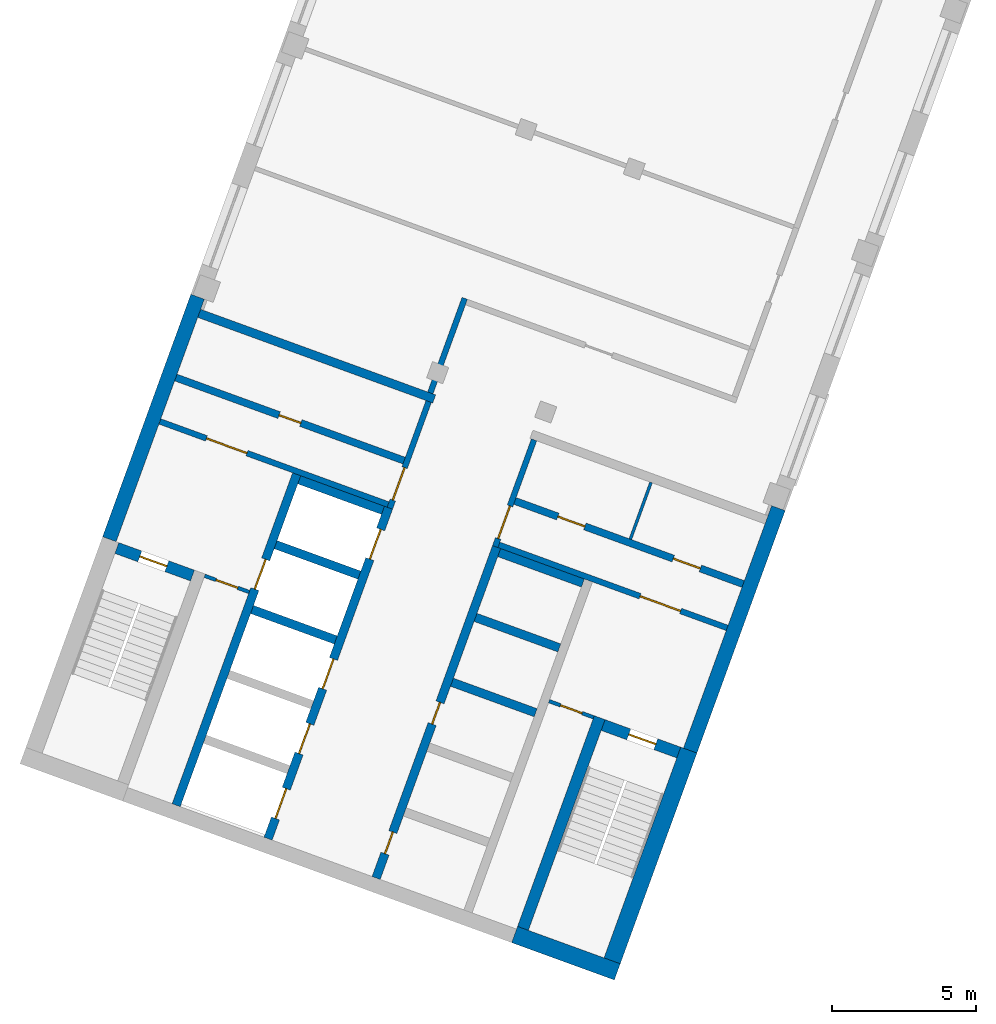
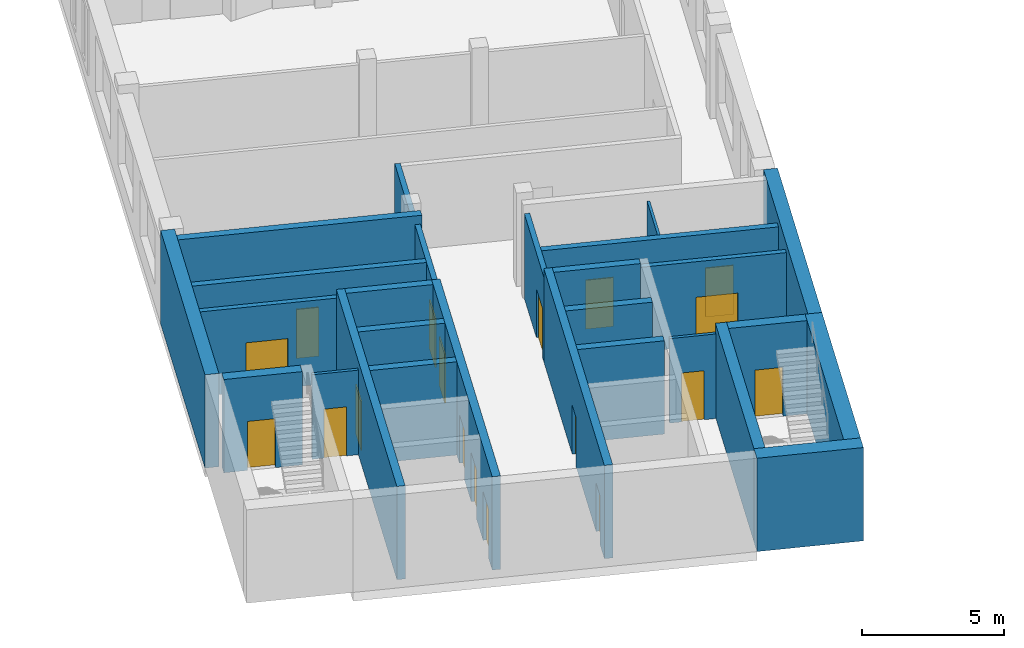
# One storey, part 2 of 11: 27 walls, 18 doors, 18 openings.
"""IFC4 building model written with IfcOpenShell, lengths in metres."""

from ifc_helpers import new_model, si_unit, direction, frame, frame_2d, origin, place, context, subcontext, project, spatial, rectangle, extrude, material, layer, layer_set, type_object, element, fill, save


model = new_model("IFC4")

# Units and contexts
model_context = context("Model", 3, precision=1e-05, world=origin(), true_north=direction((0.0, 1.0)))
body_context = subcontext(model_context, "Body", "Model", "MODEL_VIEW")
ifc_project = project(units=[si_unit("LENGTHUNIT", "METRE"), si_unit("AREAUNIT", "SQUARE_METRE"), si_unit("VOLUMEUNIT", "CUBIC_METRE"), si_unit("PLANEANGLEUNIT", "RADIAN"), si_unit("MASSUNIT", "GRAM", prefix="KILO")], contexts=[model_context])

# Site, building, storey
site_placement = place(None, origin())
site = spatial("IfcSite", under=ifc_project, at=site_placement, CompositionType="ELEMENT")
building_placement = place(site_placement, origin())
building = spatial("IfcBuilding", under=site, at=building_placement, Name="Skarvind Civic Tower", CompositionType="ELEMENT")
storey_placement = place(building_placement, frame((0.0, 0.0, 212.0)))
storey = spatial("IfcBuildingStorey", under=building, at=storey_placement, Name="L50", CompositionType="ELEMENT", Elevation=212.0)

# Wall, opening, door
ifc_material_1 = material(Name="Fire-rated masonry partition", Category="masonry")
ifc_layer_1 = layer(ifc_material_1, 0.199951171875)
ifc_layer_set_1 = layer_set([ifc_layer_1], Name="Core enclosure wall 200")
wall_type_1 = type_object("IfcWallType", Name="Core enclosure wall 200", PredefinedType="PARTITIONING", material=ifc_layer_set_1)
wall_1_placement = place(storey_placement, frame((31.42724609375, 93.663330078125, 0.0), z_axis=(0.0, 0.0, 1.0), x_axis=(0.342030870568, 0.93968871632, 0.0)))
wall_1 = element("IfcWall", 1, at=wall_1_placement, inside=storey, type_object=wall_type_1, Name="Core wall C2", PredefinedType="PARTITIONING", context=body_context, shape_type="SweptSolid", body=[
    extrude(rectangle(XDim=3.9501953125, YDim=0.199951171875, at=frame_2d((1.97509765625, 0.0))), origin(), (0.0, 0.0, 1.0), 3.625),
])
opening_1_placement = place(wall_1_placement, frame((0.300048828125, 0.0, 0.0)))
opening_1 = element("IfcOpeningElement", 2, at=opening_1_placement, cuts=wall_1, Name="Opening D-L50-C2-07", PredefinedType="OPENING", context=body_context, shape_type="SweptSolid", body=[
    extrude(rectangle(XDim=1.199951171875, YDim=2.10009765625, at=frame_2d((0.60009765625, 1.050048828125))), frame((0.0, 0.10986328125, 0.0), z_axis=(0.0, -1.0, 0.0), x_axis=(1.0, 0.0, 0.0)), (0.0, 0.0, 1.0), 0.219970703125),
])
ifc_material_2 = material(Name="Fire-rated steel door", Category="steel")
door_type_1 = type_object("IfcDoorType", Name="Core lobby door 1200", OperationType="NOTDEFINED", PredefinedType="DOOR", material=ifc_material_2)
door_1_placement = place(opening_1_placement, origin())
door_1 = element("IfcDoor", 3, at=door_1_placement, inside=storey, type_object=door_type_1, Name="Fire door", OperationType="DOUBLE_DOOR_SINGLE_SWING", OverallHeight=2.10009765625, OverallWidth=1.199951171875, PredefinedType="DOOR", context=body_context, shape_type="SweptSolid", body=[
    extrude(rectangle(XDim=1.199951171875, YDim=2.10009765625, at=frame_2d((0.60009765625, 1.050048828125))), frame((0.0, 0.02490234375, 0.0), z_axis=(0.0, -1.0, 0.0), x_axis=(1.0, 0.0, 0.0)), (0.0, 0.0, 1.0), 0.050048828125),
])
fill(opening_1, door_1)

wall_2_placement = place(storey_placement, frame((23.42724609375, 96.681640625, 0.0), z_axis=(0.0, 0.0, 1.0), x_axis=(0.939690465531, -0.342026064782, 0.0)))
wall_2 = element("IfcWall", 4, at=wall_2_placement, inside=storey, type_object=wall_type_1, Name="Core wall C2", PredefinedType="PARTITIONING", context=body_context, shape_type="SweptSolid", body=[
    extrude(rectangle(XDim=8.449951171875, YDim=0.199951171875, at=frame_2d((4.22509765625, 0.0))), origin(), (0.0, 0.0, 1.0), 3.625),
])
opening_2_placement = place(wall_2_placement, frame((1.72509765625, 0.0, 0.0)))
opening_2 = element("IfcOpeningElement", 5, at=opening_2_placement, cuts=wall_2, Name="Opening D-L50-C2-08", PredefinedType="OPENING", context=body_context, shape_type="SweptSolid", body=[
    extrude(rectangle(XDim=1.5, YDim=2.10009765625, at=frame_2d((0.75, 1.050048828125))), frame((0.0, 0.10986328125, 0.0), z_axis=(0.0, -1.0, 0.0), x_axis=(1.0, 0.0, 0.0)), (0.0, 0.0, 1.0), 0.219970703125),
])
door_type_2 = type_object("IfcDoorType", Name="Fire door 1500", OperationType="NOTDEFINED", PredefinedType="DOOR", material=ifc_material_2)
door_2_placement = place(opening_2_placement, origin())
door_2 = element("IfcDoor", 6, at=door_2_placement, inside=storey, type_object=door_type_2, Name="Fire door", OperationType="DOUBLE_DOOR_SINGLE_SWING", OverallHeight=2.10009765625, OverallWidth=1.5, PredefinedType="DOOR", context=body_context, shape_type="SweptSolid", body=[
    extrude(rectangle(XDim=1.5, YDim=2.10009765625, at=frame_2d((0.75, 1.050048828125))), frame((0.0, 0.02490234375, 0.0), z_axis=(0.0, -1.0, 0.0), x_axis=(1.0, 0.0, 0.0)), (0.0, 0.0, 1.0), 0.050048828125),
])
fill(opening_2, door_2)

wall_3_placement = place(storey_placement, frame((36.443115234375, 96.041259765625, 0.0), z_axis=(0.0, 0.0, 1.0), x_axis=(-0.341996156931, -0.939701350773, 0.0)))
wall_3 = element("IfcWall", 7, at=wall_3_placement, inside=storey, type_object=wall_type_1, Name="Core wall C2", PredefinedType="PARTITIONING", context=body_context, shape_type="SweptSolid", body=[
    extrude(rectangle(XDim=3.949951171875, YDim=0.199951171875, at=frame_2d((1.97509765625, 0.0))), origin(), (0.0, 0.0, 1.0), 3.625),
])
opening_3_placement = place(wall_3_placement, frame((2.449951171875, 0.0, 0.0)))
opening_3 = element("IfcOpeningElement", 8, at=opening_3_placement, cuts=wall_3, Name="Opening D-L50-C2-12", PredefinedType="OPENING", context=body_context, shape_type="SweptSolid", body=[
    extrude(rectangle(XDim=1.199951171875, YDim=2.10009765625, at=frame_2d((0.60009765625, 1.050048828125))), frame((0.0, 0.10986328125, 0.0), z_axis=(0.0, -1.0, 0.0), x_axis=(1.0, 0.0, 0.0)), (0.0, 0.0, 1.0), 0.219970703125),
])
door_3_placement = place(opening_3_placement, origin())
door_3 = element("IfcDoor", 9, at=door_3_placement, inside=storey, type_object=door_type_1, Name="Fire door", OperationType="DOUBLE_DOOR_SINGLE_SWING", OverallHeight=2.10009765625, OverallWidth=1.199951171875, PredefinedType="DOOR", context=body_context, shape_type="SweptSolid", body=[
    extrude(rectangle(XDim=1.199951171875, YDim=2.10009765625, at=frame_2d((0.60009765625, 1.050048828125))), frame((0.0, 0.02490234375, 0.0), z_axis=(0.0, -1.0, 0.0), x_axis=(1.0, 0.0, 0.0)), (0.0, 0.0, 1.0), 0.050048828125),
])
fill(opening_3, door_3)

wall_4_placement = place(storey_placement, frame((35.22021484375, 92.389404296875, 0.0), z_axis=(0.0, 0.0, 1.0), x_axis=(0.939690465531, -0.342026064782, 0.0)))
wall_4 = element("IfcWall", 10, at=wall_4_placement, inside=storey, type_object=wall_type_1, Name="Core wall C2", PredefinedType="PARTITIONING", context=body_context, shape_type="SweptSolid", body=[
    extrude(rectangle(XDim=8.449951171875, YDim=0.199951171875, at=frame_2d((4.22509765625, 0.0))), origin(), (0.0, 0.0, 1.0), 3.625),
])
opening_4_placement = place(wall_4_placement, frame((5.22509765625, 0.0, 0.0)))
opening_4 = element("IfcOpeningElement", 11, at=opening_4_placement, cuts=wall_4, Name="Opening D-L50-C2-13", PredefinedType="OPENING", context=body_context, shape_type="SweptSolid", body=[
    extrude(rectangle(XDim=1.5, YDim=2.10009765625, at=frame_2d((0.75, 1.050048828125))), frame((0.0, 0.10986328125, 0.0), z_axis=(0.0, -1.0, 0.0), x_axis=(1.0, 0.0, 0.0)), (0.0, 0.0, 1.0), 0.219970703125),
])
door_4_placement = place(opening_4_placement, origin())
door_4 = element("IfcDoor", 12, at=door_4_placement, inside=storey, type_object=door_type_2, Name="Fire door", OperationType="DOUBLE_DOOR_SINGLE_SWING", OverallHeight=2.10009765625, OverallWidth=1.5, PredefinedType="DOOR", context=body_context, shape_type="SweptSolid", body=[
    extrude(rectangle(XDim=1.5, YDim=2.10009765625, at=frame_2d((0.75, 1.050048828125))), frame((0.0, 0.02490234375, 0.0), z_axis=(0.0, -1.0, 0.0), x_axis=(1.0, 0.0, 0.0)), (0.0, 0.0, 1.0), 0.050048828125),
])
fill(opening_4, door_4)

# Wall
ifc_material_3 = material(Name="Fire-rated plasterboard partition")
ifc_layer_2 = layer(ifc_material_3, 0.10009765625)
ifc_layer_set_2 = layer_set([ifc_layer_2], Name="Core partition wall 100")
wall_type_2 = type_object("IfcWallType", Name="Core partition wall 100", PredefinedType="PARTITIONING", material=ifc_layer_set_2)
wall_5_placement = place(storey_placement, frame((40.511962890625, 94.560302734375, 0.0), z_axis=(0.0, 0.0, 1.0), x_axis=(-0.342023078919, -0.939691552312, 0.0)))
element("IfcWall", 13, at=wall_5_placement, inside=storey, type_object=wall_type_2, Name="Core wall C2", PredefinedType="PARTITIONING", context=body_context, shape_type="SweptSolid", body=[
    extrude(rectangle(XDim=2.10009765625, YDim=0.10009765625, at=frame_2d((1.050048828125, 0.0))), origin(), (0.0, 0.0, 1.0), 3.625),
])

# Wall, openings, doors
ifc_material_4 = material(Name="Concrete C60", Category="concrete")
ifc_layer_3 = layer(ifc_material_4, 0.300048828125)
ifc_layer_set_3 = layer_set([ifc_layer_3], Name="Core wall 300 C60")
wall_type_3 = type_object("IfcWallType", Name="Core wall 300 C60", PredefinedType="SHEAR", material=ifc_layer_set_3)
wall_6_placement = place(storey_placement, frame((30.949462890625, 80.80126953125, 0.0), z_axis=(0.0, 0.0, 1.0), x_axis=(0.342016684409, 0.939693879721, 0.0)))
wall_6 = element("IfcWall", 14, at=wall_6_placement, inside=storey, type_object=wall_type_3, Name="Core wall C2 south lift row front L50", PredefinedType="SHEAR", context=body_context, shape_type="SweptSolid", body=[
    extrude(rectangle(XDim=12.25, YDim=0.300048828125, at=frame_2d((6.125, 0.0))), origin(), (0.0, 0.0, 1.0), 4.0),
])
opening_5_placement = place(wall_6_placement, frame((0.89990234375, 0.0, 0.0)))
opening_5 = element("IfcOpeningElement", 15, at=opening_5_placement, cuts=wall_6, Name="Opening D-L50-C2-05", PredefinedType="OPENING", context=body_context, shape_type="SweptSolid", body=[
    extrude(rectangle(XDim=0.800048828125, YDim=2.10009765625, at=frame_2d((0.39990234375, 1.050048828125))), frame((0.0, 0.159912109375, 0.0), z_axis=(0.0, -1.0, 0.0), x_axis=(1.0, 0.0, 0.0)), (0.0, 0.0, 1.0), 0.320068359375),
])
opening_6_placement = place(wall_6_placement, frame((5.699951171875, 0.0, 0.0)))
opening_6 = element("IfcOpeningElement", 16, at=opening_6_placement, cuts=wall_6, Name="Opening D-L50-C2-06", PredefinedType="OPENING", context=body_context, shape_type="SweptSolid", body=[
    extrude(rectangle(XDim=0.800048828125, YDim=2.10009765625, at=frame_2d((0.39990234375, 1.050048828125))), frame((0.0, 0.159912109375, 0.0), z_axis=(0.0, -1.0, 0.0), x_axis=(1.0, 0.0, 0.0)), (0.0, 0.0, 1.0), 0.320068359375),
])
door_type_3 = type_object("IfcDoorType", Name="Core riser door 800", OperationType="NOTDEFINED", PredefinedType="DOOR", material=ifc_material_2)
door_5_placement = place(opening_5_placement, origin())
door_5 = element("IfcDoor", 17, at=door_5_placement, inside=storey, type_object=door_type_3, Name="Riser door", OperationType="SINGLE_SWING_LEFT", OverallHeight=2.10009765625, OverallWidth=0.800048828125, PredefinedType="DOOR", context=body_context, shape_type="SweptSolid", body=[
    extrude(rectangle(XDim=0.800048828125, YDim=2.10009765625, at=frame_2d((0.39990234375, 1.050048828125))), frame((0.0, 0.02490234375, 0.0), z_axis=(0.0, -1.0, 0.0), x_axis=(1.0, 0.0, 0.0)), (0.0, 0.0, 1.0), 0.050048828125),
])
fill(opening_5, door_5)
door_6_placement = place(opening_6_placement, origin())
door_6 = element("IfcDoor", 18, at=door_6_placement, inside=storey, type_object=door_type_3, Name="Riser door", OperationType="SINGLE_SWING_RIGHT", OverallHeight=2.10009765625, OverallWidth=0.800048828125, PredefinedType="DOOR", context=body_context, shape_type="SweptSolid", body=[
    extrude(rectangle(XDim=0.800048828125, YDim=2.10009765625, at=frame_2d((0.39990234375, 1.050048828125))), frame((0.0, 0.02490234375, 0.0), z_axis=(0.0, -1.0, 0.0), x_axis=(1.0, 0.0, 0.0)), (0.0, 0.0, 1.0), 0.050048828125),
])
fill(opening_6, door_6)

# Walls
for number, where, z_axis, x_axis, name in (
    (19, (36.500244140625, 86.54931640625, 0.0), (0.0, 0.0, 1.0), (-0.939689908313, 0.342027595692, 0.0), "Core wall C2 south lift row division 3 L50"),
    (20, (37.321044921875, 88.8046875, 0.0), (0.0, 0.0, 1.0), (-0.939689908313, 0.342027595692, 0.0), "Core wall C2 south lift row division 4 L50"),
    (21, (38.141845703125, 91.059814453125, 0.0), (0.0, 0.0, 1.0), (-0.939689908313, 0.342027595692, 0.0), "Core wall C2 south lift row division 5 L50"),
):
    element("IfcWall", number, at=place(storey_placement, frame(where, z_axis=z_axis, x_axis=x_axis)), inside=storey, type_object=wall_type_3, Name=name, PredefinedType="SHEAR", context=body_context, shape_type="SweptSolid", body=[
        extrude(rectangle(XDim=3.10009765625, YDim=0.300048828125, at=frame_2d((1.550048828125, 0.0))), origin(), (0.0, 0.0, 1.0), 4.0),
    ])

# Wall, openings, doors
wall_7_placement = place(storey_placement, frame((27.190673828125, 82.169189453125, 0.0), z_axis=(0.0, 0.0, 1.0), x_axis=(0.342016684409, 0.939693879721, 0.0)))
wall_7 = element("IfcWall", 22, at=wall_7_placement, inside=storey, type_object=wall_type_3, Name="Core wall C2 north lift row front L50", PredefinedType="SHEAR", context=body_context, shape_type="SweptSolid", body=[
    extrude(rectangle(XDim=12.25, YDim=0.300048828125, at=frame_2d((6.125, 0.0))), origin(), (0.0, 0.0, 1.0), 4.0),
])
opening_7_placement = place(wall_7_placement, frame((0.75, 0.0, 0.0)))
opening_7 = element("IfcOpeningElement", 23, at=opening_7_placement, cuts=wall_7, Name="Opening LD52201", PredefinedType="OPENING", context=body_context, shape_type="SweptSolid", body=[
    extrude(rectangle(XDim=1.10009765625, YDim=2.10009765625, at=frame_2d((0.550048828125, 1.050048828125))), frame((0.0, 0.159912109375, 0.0), z_axis=(0.0, -1.0, 0.0), x_axis=(1.0, 0.0, 0.0)), (0.0, 0.0, 1.0), 0.320068359375),
])
opening_8_placement = place(wall_7_placement, frame((3.14990234375, 0.0, 0.0)))
opening_8 = element("IfcOpeningElement", 24, at=opening_8_placement, cuts=wall_7, Name="Opening LD52202", PredefinedType="OPENING", context=body_context, shape_type="SweptSolid", body=[
    extrude(rectangle(XDim=1.10009765625, YDim=2.10009765625, at=frame_2d((0.550048828125, 1.050048828125))), frame((0.0, 0.159912109375, 0.0), z_axis=(0.0, -1.0, 0.0), x_axis=(1.0, 0.0, 0.0)), (0.0, 0.0, 1.0), 0.320068359375),
])
opening_9_placement = place(wall_7_placement, frame((5.550048828125, 0.0, 0.0)))
opening_9 = element("IfcOpeningElement", 25, at=opening_9_placement, cuts=wall_7, Name="Opening LD52203", PredefinedType="OPENING", context=body_context, shape_type="SweptSolid", body=[
    extrude(rectangle(XDim=1.10009765625, YDim=2.10009765625, at=frame_2d((0.550048828125, 1.050048828125))), frame((0.0, 0.159912109375, 0.0), z_axis=(0.0, -1.0, 0.0), x_axis=(1.0, 0.0, 0.0)), (0.0, 0.0, 1.0), 0.320068359375),
])
opening_10_placement = place(wall_7_placement, frame((10.35009765625, 0.0, 0.0)))
opening_10 = element("IfcOpeningElement", 26, at=opening_10_placement, cuts=wall_7, Name="Opening LD52205", PredefinedType="OPENING", context=body_context, shape_type="SweptSolid", body=[
    extrude(rectangle(XDim=1.10009765625, YDim=2.10009765625, at=frame_2d((0.550048828125, 1.050048828125))), frame((0.0, 0.159912109375, 0.0), z_axis=(0.0, -1.0, 0.0), x_axis=(1.0, 0.0, 0.0)), (0.0, 0.0, 1.0), 0.320068359375),
])
ifc_material_5 = material(Name="Stainless steel landing door", Category="steel")
door_type_4 = type_object("IfcDoorType", Name="Lift landing door 1100", OperationType="DOUBLE_DOOR_SLIDING", PredefinedType="DOOR", material=ifc_material_5)
door_7_placement = place(opening_7_placement, origin())
door_7 = element("IfcDoor", 27, at=door_7_placement, inside=storey, type_object=door_type_4, Name="Lift landing door", OperationType="DOUBLE_DOOR_SLIDING", OverallHeight=2.10009765625, OverallWidth=1.10009765625, PredefinedType="DOOR", context=body_context, shape_type="SweptSolid", body=[
    extrude(rectangle(XDim=1.10009765625, YDim=2.10009765625, at=frame_2d((0.550048828125, 1.050048828125))), frame((0.0, 0.02490234375, 0.0), z_axis=(0.0, -1.0, 0.0), x_axis=(1.0, 0.0, 0.0)), (0.0, 0.0, 1.0), 0.050048828125),
])
fill(opening_7, door_7)
door_8_placement = place(opening_8_placement, origin())
door_8 = element("IfcDoor", 28, at=door_8_placement, inside=storey, type_object=door_type_4, Name="Lift landing door", OperationType="DOUBLE_DOOR_SLIDING", OverallHeight=2.10009765625, OverallWidth=1.10009765625, PredefinedType="DOOR", context=body_context, shape_type="SweptSolid", body=[
    extrude(rectangle(XDim=1.10009765625, YDim=2.10009765625, at=frame_2d((0.550048828125, 1.050048828125))), frame((0.0, 0.02490234375, 0.0), z_axis=(0.0, -1.0, 0.0), x_axis=(1.0, 0.0, 0.0)), (0.0, 0.0, 1.0), 0.050048828125),
])
fill(opening_8, door_8)
door_9_placement = place(opening_9_placement, origin())
door_9 = element("IfcDoor", 29, at=door_9_placement, inside=storey, type_object=door_type_4, Name="Lift landing door", OperationType="DOUBLE_DOOR_SLIDING", OverallHeight=2.10009765625, OverallWidth=1.10009765625, PredefinedType="DOOR", context=body_context, shape_type="SweptSolid", body=[
    extrude(rectangle(XDim=1.10009765625, YDim=2.10009765625, at=frame_2d((0.550048828125, 1.050048828125))), frame((0.0, 0.02490234375, 0.0), z_axis=(0.0, -1.0, 0.0), x_axis=(1.0, 0.0, 0.0)), (0.0, 0.0, 1.0), 0.050048828125),
])
fill(opening_9, door_9)
door_10_placement = place(opening_10_placement, origin())
door_10 = element("IfcDoor", 30, at=door_10_placement, inside=storey, type_object=door_type_4, Name="Lift landing door", OperationType="DOUBLE_DOOR_SLIDING", OverallHeight=2.10009765625, OverallWidth=1.10009765625, PredefinedType="DOOR", context=body_context, shape_type="SweptSolid", body=[
    extrude(rectangle(XDim=1.10009765625, YDim=2.10009765625, at=frame_2d((0.550048828125, 1.050048828125))), frame((0.0, 0.02490234375, 0.0), z_axis=(0.0, -1.0, 0.0), x_axis=(1.0, 0.0, 0.0)), (0.0, 0.0, 1.0), 0.050048828125),
])
fill(opening_10, door_10)

# Wall, opening, door
wall_8_placement = place(storey_placement, frame((23.99560546875, 83.33203125, 0.0), z_axis=(0.0, 0.0, 1.0), x_axis=(0.342016684409, 0.939693879721, 0.0)))
wall_8 = element("IfcWall", 31, at=wall_8_placement, inside=storey, type_object=wall_type_3, Name="Core wall C2 north lift row back L50", PredefinedType="SHEAR", context=body_context, shape_type="SweptSolid", body=[
    extrude(rectangle(XDim=12.25, YDim=0.300048828125, at=frame_2d((6.125, 0.0))), origin(), (0.0, 0.0, 1.0), 4.0),
])
opening_11_placement = place(wall_8_placement, frame((8.0, 0.0, 0.0)))
opening_11 = element("IfcOpeningElement", 32, at=opening_11_placement, cuts=wall_8, Name="Opening LD52204", PredefinedType="OPENING", context=body_context, shape_type="SweptSolid", body=[
    extrude(rectangle(XDim=1.10009765625, YDim=2.10009765625, at=frame_2d((0.550048828125, 1.050048828125))), frame((0.0, 0.159912109375, 0.0), z_axis=(0.0, -1.0, 0.0), x_axis=(1.0, 0.0, 0.0)), (0.0, 0.0, 1.0), 0.320068359375),
])
door_11_placement = place(opening_11_placement, origin())
door_11 = element("IfcDoor", 33, at=door_11_placement, inside=storey, type_object=door_type_4, Name="Lift landing door", OperationType="DOUBLE_DOOR_SLIDING", OverallHeight=2.10009765625, OverallWidth=1.10009765625, PredefinedType="DOOR", context=body_context, shape_type="SweptSolid", body=[
    extrude(rectangle(XDim=1.10009765625, YDim=2.10009765625, at=frame_2d((0.550048828125, 1.050048828125))), frame((0.0, 0.02490234375, 0.0), z_axis=(0.0, -1.0, 0.0), x_axis=(1.0, 0.0, 0.0)), (0.0, 0.0, 1.0), 0.050048828125),
])
fill(opening_11, door_11)

# Walls
wall_9_placement = place(storey_placement, frame((29.54638671875, 89.080322265625, 0.0), z_axis=(0.0, 0.0, 1.0), x_axis=(-0.939689908313, 0.342027595692, 0.0)))
element("IfcWall", 34, at=wall_9_placement, inside=storey, type_object=wall_type_3, Name="Core wall C2 north lift row division 3 L50", PredefinedType="SHEAR", context=body_context, shape_type="SweptSolid", body=[
    extrude(rectangle(XDim=3.10009765625, YDim=0.300048828125, at=frame_2d((1.550048828125, 0.0))), origin(), (0.0, 0.0, 1.0), 4.0),
])
for number, where, z_axis, x_axis, name in (
    (35, (30.3671875, 91.335693359375, 0.0), (0.0, 0.0, 1.0), (-0.939715217871, 0.341958051961, 0.0), "Core wall C2 north lift row division 4 L50"),
    (36, (31.18798828125, 93.5908203125, 0.0), (0.0, 0.0, 1.0), (-0.939680694448, 0.342052908892, 0.0), "Core wall C2 north lift row division 5 L50"),
):
    element("IfcWall", number, at=place(storey_placement, frame(where, z_axis=z_axis, x_axis=x_axis)), inside=storey, type_object=wall_type_3, Name=name, PredefinedType="SHEAR", context=body_context, shape_type="SweptSolid", body=[
        extrude(rectangle(XDim=3.099853515625, YDim=0.300048828125, at=frame_2d((1.5498046875, 0.0))), origin(), (0.0, 0.0, 1.0), 4.0),
    ])
wall_10_placement = place(storey_placement, frame((32.970703125, 97.46484375, 0.0), z_axis=(0.0, 0.0, 1.0), x_axis=(-0.939695066972, 0.34201342241, 0.0)))
element("IfcWall", 37, at=wall_10_placement, inside=storey, type_object=wall_type_3, Name="Core wall C2 north inner face L50", PredefinedType="SHEAR", context=body_context, shape_type="SweptSolid", body=[
    extrude(rectangle(XDim=8.7001953125, YDim=0.300048828125, at=frame_2d((4.35009765625, 0.0))), origin(), (0.0, 0.0, 1.0), 4.0),
])
ifc_layer_4 = layer(ifc_material_4, 0.39990234375)
ifc_layer_set_4 = layer_set([ifc_layer_4], Name="Core wall 400 C60")
wall_type_4 = type_object("IfcWallType", Name="Core wall 400 C60", PredefinedType="SHEAR", material=ifc_layer_set_4)
wall_11_placement = place(storey_placement, frame((36.057861328125, 79.04833984375, 0.0), z_axis=(0.0, 0.0, 1.0), x_axis=(0.342016982193, 0.939693771338, 0.0)))
element("IfcWall", 38, at=wall_11_placement, inside=storey, type_object=wall_type_4, Name="Core wall C2 south stair inner L50", PredefinedType="SHEAR", context=body_context, shape_type="SweptSolid", body=[
    extrude(rectangle(XDim=7.800048828125, YDim=0.39990234375, at=frame_2d((3.89990234375, 0.0))), origin(), (0.0, 0.0, 1.0), 4.0),
])

# Wall, opening, door
wall_12_placement = place(storey_placement, frame((41.476318359375, 85.163818359375, 0.0), z_axis=(0.0, 0.0, 1.0), x_axis=(-0.939678810556, 0.342058084236, 0.0)))
wall_12 = element("IfcWall", 39, at=wall_12_placement, inside=storey, type_object=wall_type_4, Name="Core wall C2 south stair end L50", PredefinedType="SHEAR", context=body_context, shape_type="SweptSolid", body=[
    extrude(rectangle(XDim=2.800048828125, YDim=0.39990234375, at=frame_2d((1.39990234375, 0.0))), origin(), (0.0, 0.0, 1.0), 4.0),
])
opening_12_placement = place(wall_12_placement, frame((0.85009765625, 0.0, 0.0)))
opening_12 = element("IfcOpeningElement", 40, at=opening_12_placement, cuts=wall_12, Name="Opening D-L50-C2-14", PredefinedType="OPENING", context=body_context, shape_type="SweptSolid", body=[
    extrude(rectangle(XDim=1.0, YDim=2.10009765625, at=frame_2d((0.5, 1.050048828125))), frame((0.0, 0.2099609375, 0.0), z_axis=(0.0, -1.0, 0.0), x_axis=(1.0, 0.0, 0.0)), (0.0, 0.0, 1.0), 0.419921875),
])
door_type_5 = type_object("IfcDoorType", Name="Fire door 1000", OperationType="NOTDEFINED", PredefinedType="DOOR", material=ifc_material_2)
door_12_placement = place(opening_12_placement, origin())
door_12 = element("IfcDoor", 41, at=door_12_placement, inside=storey, type_object=door_type_5, Name="Fire door", OperationType="SINGLE_SWING_RIGHT", OverallHeight=2.10009765625, OverallWidth=1.0, PredefinedType="DOOR", context=body_context, shape_type="SweptSolid", body=[
    extrude(rectangle(XDim=1.0, YDim=2.10009765625, at=frame_2d((0.5, 1.050048828125))), frame((0.0, 0.02490234375, 0.0), z_axis=(0.0, -1.0, 0.0), x_axis=(1.0, 0.0, 0.0)), (0.0, 0.0, 1.0), 0.050048828125),
])
fill(opening_12, door_12)

wall_13_placement = place(storey_placement, frame((24.56201171875, 91.3203125, 0.0), z_axis=(0.0, 0.0, 1.0), x_axis=(-0.939717030584, 0.341953070509, 0.0)))
wall_13 = element("IfcWall", 42, at=wall_13_placement, inside=storey, type_object=wall_type_4, Name="Core wall C2 north stair end L50", PredefinedType="SHEAR", context=body_context, shape_type="SweptSolid", body=[
    extrude(rectangle(XDim=2.800048828125, YDim=0.39990234375, at=frame_2d((1.39990234375, 0.0))), origin(), (0.0, 0.0, 1.0), 4.0),
])
opening_13_placement = place(wall_13_placement, frame((0.949951171875, 0.0, 0.0)))
opening_13 = element("IfcOpeningElement", 43, at=opening_13_placement, cuts=wall_13, Name="Opening D-L50-C2-09", PredefinedType="OPENING", context=body_context, shape_type="SweptSolid", body=[
    extrude(rectangle(XDim=1.0, YDim=2.10009765625, at=frame_2d((0.5, 1.050048828125))), frame((0.0, 0.2099609375, 0.0), z_axis=(0.0, -1.0, 0.0), x_axis=(1.0, 0.0, 0.0)), (0.0, 0.0, 1.0), 0.419921875),
])
door_13_placement = place(opening_13_placement, origin())
door_13 = element("IfcDoor", 44, at=door_13_placement, inside=storey, type_object=door_type_5, Name="Fire door", OperationType="SINGLE_SWING_LEFT", OverallHeight=2.10009765625, OverallWidth=1.0, PredefinedType="DOOR", context=body_context, shape_type="SweptSolid", body=[
    extrude(rectangle(XDim=1.0, YDim=2.10009765625, at=frame_2d((0.5, 1.050048828125))), frame((0.0, 0.02490234375, 0.0), z_axis=(0.0, -1.0, 0.0), x_axis=(1.0, 0.0, 0.0)), (0.0, 0.0, 1.0), 0.050048828125),
])
fill(opening_13, door_13)

# Walls
ifc_layer_5 = layer(ifc_material_4, 0.5)
ifc_layer_set_5 = layer_set([ifc_layer_5], Name="Core wall 500 C60")
wall_type_5 = type_object("IfcWallType", Name="Core wall 500 C60", PredefinedType="SHEAR", material=ifc_layer_set_5)
wall_14_placement = place(storey_placement, frame((41.873779296875, 85.232177734375, 0.0), z_axis=(0.0, 0.0, 1.0), x_axis=(0.342020437038, 0.939692513883, 0.0)))
element("IfcWall", 45, at=wall_14_placement, inside=storey, type_object=wall_type_5, Name="Core wall C2 south side L50", PredefinedType="SHEAR", context=body_context, shape_type="SweptSolid", body=[
    extrude(rectangle(XDim=8.974853515625, YDim=0.5, at=frame_2d((4.4873046875, 0.0))), origin(), (0.0, 0.0, 1.0), 4.0),
])
wall_15_placement = place(storey_placement, frame((21.670166015625, 92.58544921875, 0.0), z_axis=(0.0, 0.0, 1.0), x_axis=(0.342035714298, 0.93968695327, 0.0)))
element("IfcWall", 46, at=wall_15_placement, inside=storey, type_object=wall_type_5, Name="Core wall C2 north side L50", PredefinedType="SHEAR", context=body_context, shape_type="SweptSolid", body=[
    extrude(rectangle(XDim=8.97509765625, YDim=0.5, at=frame_2d((4.487548828125, 0.0))), origin(), (0.0, 0.0, 1.0), 4.0),
])
ifc_layer_6 = layer(ifc_material_4, 0.60009765625)
ifc_layer_set_6 = layer_set([ifc_layer_6], Name="Core wall 600 C60")
wall_type_6 = type_object("IfcWallType", Name="Core wall 600 C60", PredefinedType="SHEAR", material=ifc_layer_set_6)
wall_16_placement = place(storey_placement, frame((39.338134765625, 77.53515625, 0.0), z_axis=(0.0, 0.0, 1.0), x_axis=(-0.939701471648, 0.341995824804, 0.0)))
element("IfcWall", 47, at=wall_16_placement, inside=storey, type_object=wall_type_6, Name="Core wall C2 tip at the south stair L50", PredefinedType="SHEAR", context=body_context, shape_type="SweptSolid", body=[
    extrude(rectangle(XDim=3.800048828125, YDim=0.60009765625, at=frame_2d((1.89990234375, 0.0))), origin(), (0.0, 0.0, 1.0), 4.0),
])
wall_17_placement = place(storey_placement, frame((39.158935546875, 77.919677734375, 0.0), z_axis=(0.0, 0.0, 1.0), x_axis=(0.342016982193, 0.939693771338, 0.0)))
element("IfcWall", 48, at=wall_17_placement, inside=storey, type_object=wall_type_6, Name="Core wall C2 south side at the stair L50", PredefinedType="SHEAR", context=body_context, shape_type="SweptSolid", body=[
    extrude(rectangle(XDim=7.800048828125, YDim=0.60009765625, at=frame_2d((3.89990234375, 0.0))), origin(), (0.0, 0.0, 1.0), 4.0),
])
ifc_material_6 = material(Name="Fire-rated blockwork wall, plastered", Category="masonry")
ifc_layer_7 = layer(ifc_material_6, 0.199951171875)
ifc_layer_set_7 = layer_set([ifc_layer_7], Name="FIRE WALL 200 EI 60")
wall_type_7 = type_object("IfcWallType", Name="FIRE WALL 200 EI 60", PredefinedType="PARTITIONING", material=ifc_layer_set_7)
wall_18_placement = place(storey_placement, frame((32.833984375, 97.674072265625, 0.0), z_axis=(0.0, 0.0, 1.0), x_axis=(0.342017493073, 0.939693585395, 0.0)))
element("IfcWall", 49, at=wall_18_placement, inside=storey, type_object=wall_type_7, Name="Portal partition L50 004", PredefinedType="PARTITIONING", context=body_context, shape_type="SweptSolid", body=[
    extrude(rectangle(XDim=3.5, YDim=0.199951171875, at=frame_2d((1.75, 0.0))), origin(), (0.0, 0.0, 1.0), 3.625),
])

# Wall, opening, door
ifc_layer_8 = layer(ifc_material_1, 0.125)
ifc_layer_set_8 = layer_set([ifc_layer_8], Name="Riser wall 125")
wall_type_8 = type_object("IfcWallType", Name="Riser wall 125", PredefinedType="PARTITIONING", material=ifc_layer_set_8)
wall_19_placement = place(storey_placement, frame((24.98486328125, 91.3125, 0.0), z_axis=(0.0, 0.0, 1.0), x_axis=(0.939719959755, -0.341945020783, 0.0)))
wall_19 = element("IfcWall", 50, at=wall_19_placement, inside=storey, type_object=wall_type_8, Name="Core wall C2", PredefinedType="PARTITIONING", context=body_context, shape_type="SweptSolid", body=[
    extrude(rectangle(XDim=1.64990234375, YDim=0.125, at=frame_2d((0.824951171875, 0.0))), origin(), (0.0, 0.0, 1.0), 3.625),
])
opening_14_placement = place(wall_19_placement, frame((0.425048828125, 0.0, 0.0)))
opening_14 = element("IfcOpeningElement", 51, at=opening_14_placement, cuts=wall_19, Name="Opening D-L50-C2-10", PredefinedType="OPENING", context=body_context, shape_type="SweptSolid", body=[
    extrude(rectangle(XDim=0.800048828125, YDim=2.10009765625, at=frame_2d((0.39990234375, 1.050048828125))), frame((0.0, 0.072509765625, 0.0), z_axis=(0.0, -1.0, 0.0), x_axis=(1.0, 0.0, 0.0)), (0.0, 0.0, 1.0), 0.14501953125),
])
door_14_placement = place(opening_14_placement, origin())
door_14 = element("IfcDoor", 52, at=door_14_placement, inside=storey, type_object=door_type_3, Name="Riser door", OperationType="SINGLE_SWING_RIGHT", OverallHeight=2.10009765625, OverallWidth=0.800048828125, PredefinedType="DOOR", context=body_context, shape_type="SweptSolid", body=[
    extrude(rectangle(XDim=0.800048828125, YDim=2.10009765625, at=frame_2d((0.39990234375, 1.050048828125))), frame((0.0, 0.02490234375, 0.0), z_axis=(0.0, -1.0, 0.0), x_axis=(1.0, 0.0, 0.0)), (0.0, 0.0, 1.0), 0.050048828125),
])
fill(opening_14, door_14)

wall_20_placement = place(storey_placement, frame((36.9658203125, 86.951904296875, 0.0), z_axis=(0.0, 0.0, 1.0), x_axis=(0.939672407396, -0.342075674051, 0.0)))
wall_20 = element("IfcWall", 53, at=wall_20_placement, inside=storey, type_object=wall_type_8, Name="Core wall C2", PredefinedType="PARTITIONING", context=body_context, shape_type="SweptSolid", body=[
    extrude(rectangle(XDim=1.650146484375, YDim=0.125, at=frame_2d((0.8251953125, 0.0))), origin(), (0.0, 0.0, 1.0), 3.625),
])
opening_15_placement = place(wall_20_placement, frame((0.425048828125, 0.0, 0.0)))
opening_15 = element("IfcOpeningElement", 54, at=opening_15_placement, cuts=wall_20, Name="Opening D-L50-C2-15", PredefinedType="OPENING", context=body_context, shape_type="SweptSolid", body=[
    extrude(rectangle(XDim=0.800048828125, YDim=2.10009765625, at=frame_2d((0.39990234375, 1.050048828125))), frame((0.0, 0.072509765625, 0.0), z_axis=(0.0, -1.0, 0.0), x_axis=(1.0, 0.0, 0.0)), (0.0, 0.0, 1.0), 0.14501953125),
])
door_15_placement = place(opening_15_placement, origin())
door_15 = element("IfcDoor", 55, at=door_15_placement, inside=storey, type_object=door_type_3, Name="Riser door", OperationType="SINGLE_SWING_LEFT", OverallHeight=2.10009765625, OverallWidth=0.800048828125, PredefinedType="DOOR", context=body_context, shape_type="SweptSolid", body=[
    extrude(rectangle(XDim=0.800048828125, YDim=2.10009765625, at=frame_2d((0.39990234375, 1.050048828125))), frame((0.0, 0.02490234375, 0.0), z_axis=(0.0, -1.0, 0.0), x_axis=(1.0, 0.0, 0.0)), (0.0, 0.0, 1.0), 0.050048828125),
])
fill(opening_15, door_15)

ifc_layer_9 = layer(ifc_material_1, 0.25)
ifc_layer_set_9 = layer_set([ifc_layer_9], Name="Service block wall 250")
wall_type_9 = type_object("IfcWallType", Name="Service block wall 250", PredefinedType="PARTITIONING", material=ifc_layer_set_9)
wall_21_placement = place(storey_placement, frame((23.98291015625, 98.20849609375, 0.0), z_axis=(0.0, 0.0, 1.0), x_axis=(0.939699751196, -0.342000552051, 0.0)))
wall_21 = element("IfcWall", 56, at=wall_21_placement, inside=storey, type_object=wall_type_9, Name="Core wall C2", PredefinedType="PARTITIONING", context=body_context, shape_type="SweptSolid", body=[
    extrude(rectangle(XDim=8.449951171875, YDim=0.25, at=frame_2d((4.22509765625, 0.0))), origin(), (0.0, 0.0, 1.0), 3.625),
])
opening_16_placement = place(wall_21_placement, frame((3.824951171875, 0.0, 0.0)))
opening_16 = element("IfcOpeningElement", 57, at=opening_16_placement, cuts=wall_21, Name="Opening D-L50-C2-11", PredefinedType="OPENING", context=body_context, shape_type="SweptSolid", body=[
    extrude(rectangle(XDim=0.800048828125, YDim=2.10009765625, at=frame_2d((0.39990234375, 1.050048828125))), frame((0.0, 0.135009765625, 0.0), z_axis=(0.0, -1.0, 0.0), x_axis=(1.0, 0.0, 0.0)), (0.0, 0.0, 1.0), 0.27001953125),
])
door_16_placement = place(opening_16_placement, origin())
door_16 = element("IfcDoor", 58, at=door_16_placement, inside=storey, type_object=door_type_3, Name="Riser door", OperationType="SINGLE_SWING_LEFT", OverallHeight=2.10009765625, OverallWidth=0.800048828125, PredefinedType="DOOR", context=body_context, shape_type="SweptSolid", body=[
    extrude(rectangle(XDim=0.800048828125, YDim=2.10009765625, at=frame_2d((0.39990234375, 1.050048828125))), frame((0.0, 0.02490234375, 0.0), z_axis=(0.0, -1.0, 0.0), x_axis=(1.0, 0.0, 0.0)), (0.0, 0.0, 1.0), 0.050048828125),
])
fill(opening_16, door_16)

# Wall, openings, doors
wall_22_placement = place(storey_placement, frame((35.776123046875, 93.916259765625, 0.0), z_axis=(0.0, 0.0, 1.0), x_axis=(0.939690465531, -0.342026064782, 0.0)))
wall_22 = element("IfcWall", 59, at=wall_22_placement, inside=storey, type_object=wall_type_9, Name="Core wall C2", PredefinedType="PARTITIONING", context=body_context, shape_type="SweptSolid", body=[
    extrude(rectangle(XDim=8.449951171875, YDim=0.25, at=frame_2d((4.22509765625, 0.0))), origin(), (0.0, 0.0, 1.0), 3.625),
])
opening_17_placement = place(wall_22_placement, frame((1.590087890625, 0.0, 0.0)))
opening_17 = element("IfcOpeningElement", 60, at=opening_17_placement, cuts=wall_22, Name="Opening D-L50-C2-16", PredefinedType="OPENING", context=body_context, shape_type="SweptSolid", body=[
    extrude(rectangle(XDim=1.0, YDim=2.10009765625, at=frame_2d((0.5, 1.050048828125))), frame((0.0, 0.135009765625, 0.0), z_axis=(0.0, -1.0, 0.0), x_axis=(1.0, 0.0, 0.0)), (0.0, 0.0, 1.0), 0.27001953125),
])
opening_18_placement = place(wall_22_placement, frame((5.864990234375, 0.0, 0.0)))
opening_18 = element("IfcOpeningElement", 61, at=opening_18_placement, cuts=wall_22, Name="Opening D-L50-C2-17", PredefinedType="OPENING", context=body_context, shape_type="SweptSolid", body=[
    extrude(rectangle(XDim=1.0, YDim=2.10009765625, at=frame_2d((0.5, 1.050048828125))), frame((0.0, 0.135009765625, 0.0), z_axis=(0.0, -1.0, 0.0), x_axis=(1.0, 0.0, 0.0)), (0.0, 0.0, 1.0), 0.27001953125),
])
door_17_placement = place(opening_17_placement, origin())
door_17 = element("IfcDoor", 62, at=door_17_placement, inside=storey, type_object=door_type_5, Name="Fire door", OperationType="SINGLE_SWING_RIGHT", OverallHeight=2.10009765625, OverallWidth=1.0, PredefinedType="DOOR", context=body_context, shape_type="SweptSolid", body=[
    extrude(rectangle(XDim=1.0, YDim=2.10009765625, at=frame_2d((0.5, 1.050048828125))), frame((0.0, 0.02490234375, 0.0), z_axis=(0.0, -1.0, 0.0), x_axis=(1.0, 0.0, 0.0)), (0.0, 0.0, 1.0), 0.050048828125),
])
fill(opening_17, door_17)
door_18_placement = place(opening_18_placement, origin())
door_18 = element("IfcDoor", 63, at=door_18_placement, inside=storey, type_object=door_type_5, Name="Fire door", OperationType="SINGLE_SWING_LEFT", OverallHeight=2.10009765625, OverallWidth=1.0, PredefinedType="DOOR", context=body_context, shape_type="SweptSolid", body=[
    extrude(rectangle(XDim=1.0, YDim=2.10009765625, at=frame_2d((0.5, 1.050048828125))), frame((0.0, 0.02490234375, 0.0), z_axis=(0.0, -1.0, 0.0), x_axis=(1.0, 0.0, 0.0)), (0.0, 0.0, 1.0), 0.050048828125),
])
fill(opening_18, door_18)

save(model, "model.ifc")
